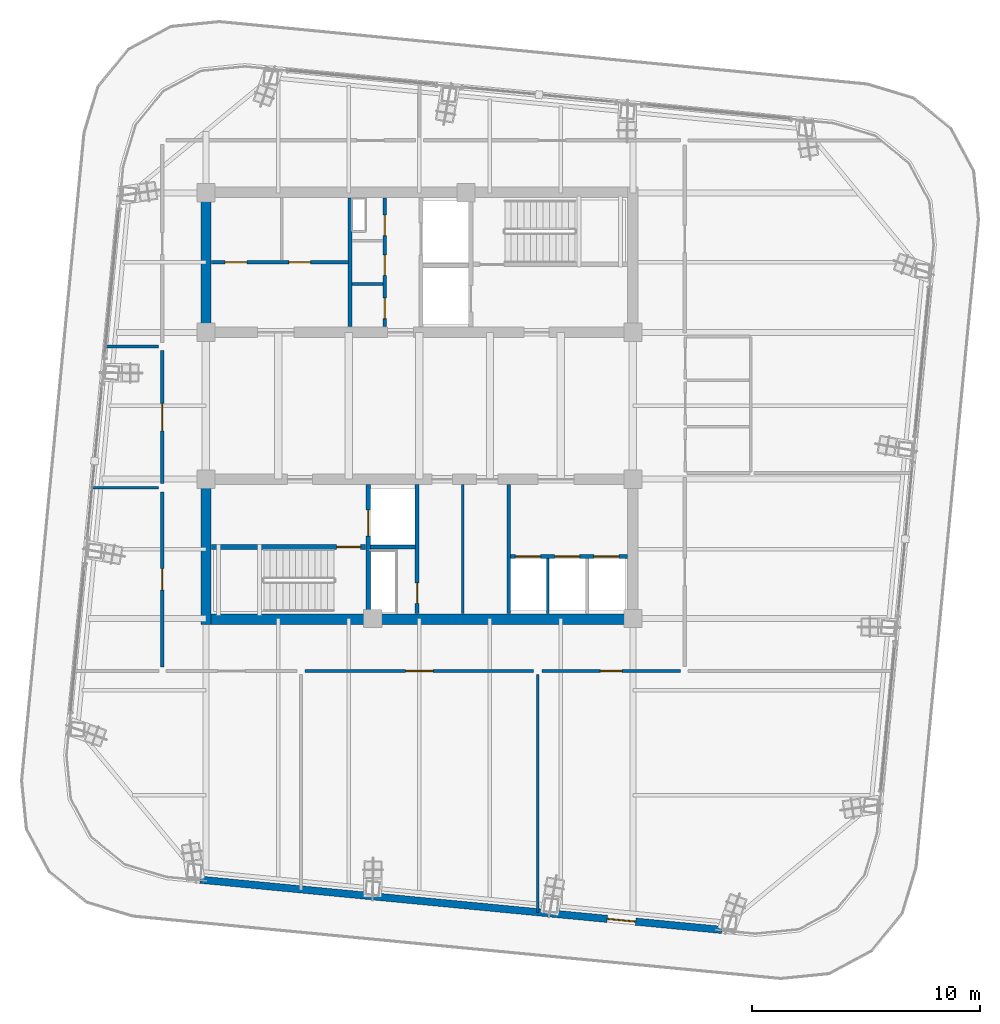
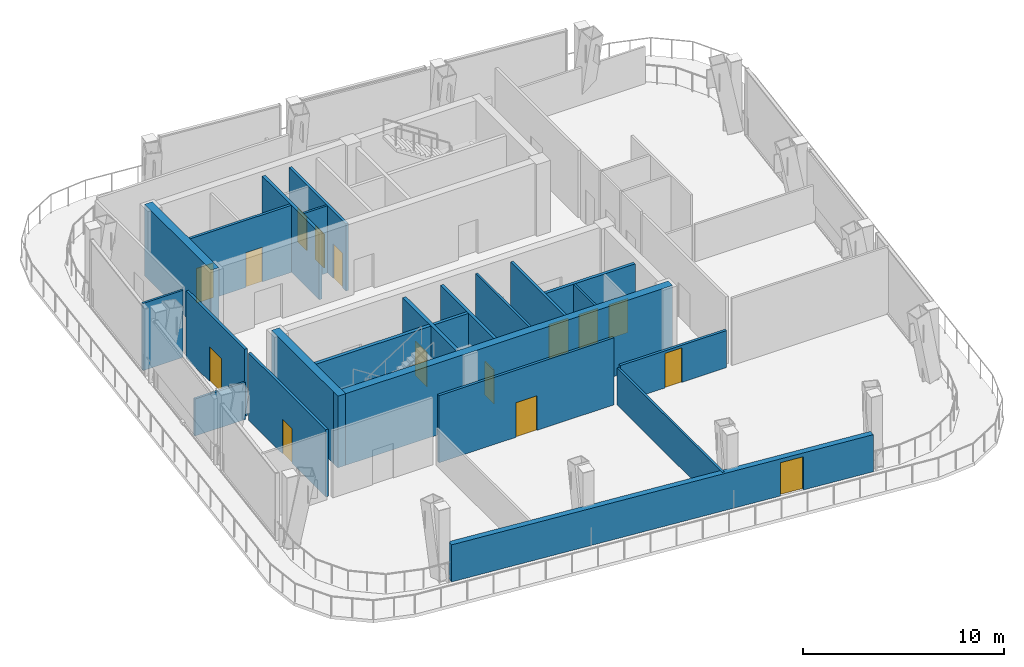
# One storey, part 12 of 19: 23 walls, 16 doors, 16 openings.
"""IFC4 building model written with IfcOpenShell, lengths in metres."""

from ifc_helpers import new_model, si_unit, direction, frame, frame_2d, origin, place, context, subcontext, project, spatial, rectangle, extrude, material, layer, layer_set, type_object, element, fill, save


model = new_model("IFC4")

# Units and contexts
model_context = context("Model", 3, precision=1e-05, world=origin(), true_north=direction((0.0, 1.0)))
body_context = subcontext(model_context, "Body", "Model", "MODEL_VIEW")
ifc_project = project(units=[si_unit("LENGTHUNIT", "METRE"), si_unit("AREAUNIT", "SQUARE_METRE"), si_unit("VOLUMEUNIT", "CUBIC_METRE"), si_unit("PLANEANGLEUNIT", "RADIAN"), si_unit("MASSUNIT", "GRAM", prefix="KILO")], contexts=[model_context])

# Site, building, storey
site_placement = place(None, origin())
site = spatial("IfcSite", under=ifc_project, at=site_placement, CompositionType="ELEMENT")
building_placement = place(site_placement, origin())
building = spatial("IfcBuilding", under=site, at=building_placement, Name="Qhalaya Broadcast Tower", CompositionType="ELEMENT")
storey_placement = place(building_placement, frame((0.0, 0.0, 280.550048828125)))
storey = spatial("IfcBuildingStorey", under=building, at=storey_placement, Name="L83", CompositionType="ELEMENT", Elevation=280.550048828125)

# Wall, openings, doors
ifc_material_1 = material(Name="Gypsum Acoustic Partition")
ifc_layer_1 = layer(ifc_material_1, 0.14990234375, Name="Gypsum Acoustic Partition")
ifc_layer_set_1 = layer_set([ifc_layer_1], Name="Gypsum Acoustic Partition")
wall_type_1 = type_object("IfcWallType", Name="Corridor & Tenancy Acoustic Partition 150", PredefinedType="PARTITIONING", material=ifc_layer_set_1)
wall_1_placement = place(storey_placement, frame((-1.52001953125, 4.070068359375, 0.0), z_axis=(0.0, 0.0, 1.0), x_axis=(0.0, 1.0, 0.0)))
wall_1 = element("IfcWall", 1, at=wall_1_placement, inside=storey, type_object=wall_type_1, Name="L83 Partition Wall NCW-SVL", PredefinedType="PARTITIONING", context=body_context, shape_type="SweptSolid", body=[
    extrude(rectangle(XDim=5.659912109375, YDim=0.14990234375, at=frame_2d((2.830078125, 0.0))), origin(), (0.0, 0.0, 1.0), 4.070068359375),
])
opening_1_placement = place(wall_1_placement, frame((4.0, 0.0, 0.0)))
opening_1 = element("IfcOpeningElement", 2, at=opening_1_placement, cuts=wall_1, Name="Opening D06", PredefinedType="OPENING", context=body_context, shape_type="SweptSolid", body=[
    extrude(rectangle(XDim=0.89990234375, YDim=2.050048828125, at=frame_2d((0.449951171875, 1.02490234375))), frame((0.0, 0.0869140625, 0.0), z_axis=(0.0, -1.0, 0.0), x_axis=(1.0, 0.0, 0.0)), (0.0, 0.0, 1.0), 0.173828125),
])
opening_2_placement = place(wall_1_placement, frame((2.25, 0.0, 0.0)))
opening_2 = element("IfcOpeningElement", 3, at=opening_2_placement, cuts=wall_1, Name="Opening D06", PredefinedType="OPENING", context=body_context, shape_type="SweptSolid", body=[
    extrude(rectangle(XDim=0.89990234375, YDim=2.050048828125, at=frame_2d((0.449951171875, 1.02490234375))), frame((0.0, 0.0869140625, 0.0), z_axis=(0.0, -1.0, 0.0), x_axis=(1.0, 0.0, 0.0)), (0.0, 0.0, 1.0), 0.173828125),
])
opening_3_placement = place(wall_1_placement, frame((0.35009765625, 0.0, 0.0)))
opening_3 = element("IfcOpeningElement", 4, at=opening_3_placement, cuts=wall_1, Name="Opening D12", PredefinedType="OPENING", context=body_context, shape_type="SweptSolid", body=[
    extrude(rectangle(XDim=0.919921875, YDim=2.10009765625, at=frame_2d((0.4599609375, 1.050048828125))), frame((0.0, 0.0869140625, 0.0), z_axis=(0.0, -1.0, 0.0), x_axis=(1.0, 0.0, 0.0)), (0.0, 0.0, 1.0), 0.173828125),
])
ifc_material_2 = material(Name="Timber Veneer Acoustic Door", Category="wood")
door_type_1 = type_object("IfcDoorType", Name="Accessible WC & Restroom Door D12", OperationType="NOTDEFINED", PredefinedType="DOOR", material=ifc_material_2)
door_1_placement = place(opening_3_placement, origin())
door_1 = element("IfcDoor", 5, at=door_1_placement, inside=storey, type_object=door_type_1, Name="L83 Door D-NCWC", OperationType="SINGLE_SWING_RIGHT", OverallHeight=2.10009765625, OverallWidth=0.919921875, PredefinedType="DOOR", context=body_context, shape_type="SweptSolid", body=[
    extrude(rectangle(XDim=0.919921875, YDim=2.10009765625, at=frame_2d((0.4599609375, 1.050048828125))), frame((0.0, 0.02490234375, 0.0), z_axis=(0.0, -1.0, 0.0), x_axis=(1.0, 0.0, 0.0)), (0.0, 0.0, 1.0), 0.050048828125),
])
fill(opening_3, door_1)
ifc_material_3 = material(Name="Fire-Rated Steel Door", Category="steel")
door_type_2 = type_object("IfcDoorType", Name="Riser & Electrical Shaft Access Door D06", OperationType="NOTDEFINED", PredefinedType="DOOR", material=ifc_material_3)
door_2_placement = place(opening_1_placement, origin())
door_2 = element("IfcDoor", 6, at=door_2_placement, inside=storey, type_object=door_type_2, Name="L83 Riser Shaft Access Door D-NRSR", OperationType="SINGLE_SWING_RIGHT", OverallHeight=2.050048828125, OverallWidth=0.89990234375, PredefinedType="DOOR", context=body_context, shape_type="SweptSolid", body=[
    extrude(rectangle(XDim=0.89990234375, YDim=2.050048828125, at=frame_2d((0.449951171875, 1.02490234375))), frame((0.0, 0.02490234375, 0.0), z_axis=(0.0, -1.0, 0.0), x_axis=(1.0, 0.0, 0.0)), (0.0, 0.0, 1.0), 0.050048828125),
])
fill(opening_1, door_2)
door_3_placement = place(opening_2_placement, origin())
door_3 = element("IfcDoor", 7, at=door_3_placement, inside=storey, type_object=door_type_2, Name="L83 Door D-NITR", OperationType="SINGLE_SWING_LEFT", OverallHeight=2.050048828125, OverallWidth=0.89990234375, PredefinedType="DOOR", context=body_context, shape_type="SweptSolid", body=[
    extrude(rectangle(XDim=0.89990234375, YDim=2.050048828125, at=frame_2d((0.449951171875, 1.02490234375))), frame((0.0, 0.02490234375, 0.0), z_axis=(0.0, -1.0, 0.0), x_axis=(1.0, 0.0, 0.0)), (0.0, 0.0, 1.0), 0.050048828125),
])
fill(opening_2, door_3)

wall_2_placement = place(storey_placement, frame((-9.1298828125, 6.89990234375, 0.0), z_axis=(0.0, 0.0, 1.0), x_axis=(1.0, 0.0, 0.0)))
wall_2 = element("IfcWall", 8, at=wall_2_placement, inside=storey, type_object=wall_type_1, Name="L83 Partition Wall NCW-REC1", PredefinedType="PARTITIONING", context=body_context, shape_type="SweptSolid", body=[
    extrude(rectangle(XDim=6.009765625, YDim=0.14990234375, at=frame_2d((3.0048828125, 0.0))), origin(), (0.0, 0.0, 1.0), 4.070068359375),
])
opening_4_placement = place(wall_2_placement, frame((0.60009765625, 0.0, 0.0)))
opening_4 = element("IfcOpeningElement", 9, at=opening_4_placement, cuts=wall_2, Name="Opening D10", PredefinedType="OPENING", context=body_context, shape_type="SweptSolid", body=[
    extrude(rectangle(XDim=0.949951171875, YDim=2.10009765625, at=frame_2d((0.47509765625, 1.050048828125))), frame((0.0, 0.0869140625, 0.0), z_axis=(0.0, -1.0, 0.0), x_axis=(1.0, 0.0, 0.0)), (0.0, 0.0, 1.0), 0.173828125),
])
opening_5_placement = place(wall_2_placement, frame((3.39990234375, 0.0, 0.0)))
opening_5 = element("IfcOpeningElement", 10, at=opening_5_placement, cuts=wall_2, Name="Opening D10", PredefinedType="OPENING", context=body_context, shape_type="SweptSolid", body=[
    extrude(rectangle(XDim=0.949951171875, YDim=2.10009765625, at=frame_2d((0.47509765625, 1.050048828125))), frame((0.0, 0.0869140625, 0.0), z_axis=(0.0, -1.0, 0.0), x_axis=(1.0, 0.0, 0.0)), (0.0, 0.0, 1.0), 0.173828125),
])
door_type_3 = type_object("IfcDoorType", Name="Cellular Office & Edit Booth Door D10", OperationType="NOTDEFINED", PredefinedType="DOOR", material=ifc_material_2)
door_4_placement = place(opening_4_placement, origin())
door_4 = element("IfcDoor", 11, at=door_4_placement, inside=storey, type_object=door_type_3, Name="L83 Door D-NREC1", OperationType="SINGLE_SWING_LEFT", OverallHeight=2.10009765625, OverallWidth=0.949951171875, PredefinedType="DOOR", context=body_context, shape_type="SweptSolid", body=[
    extrude(rectangle(XDim=0.949951171875, YDim=2.10009765625, at=frame_2d((0.47509765625, 1.050048828125))), frame((0.0, 0.02490234375, 0.0), z_axis=(0.0, -1.0, 0.0), x_axis=(1.0, 0.0, 0.0)), (0.0, 0.0, 1.0), 0.050048828125),
])
fill(opening_4, door_4)
door_5_placement = place(opening_5_placement, origin())
door_5 = element("IfcDoor", 12, at=door_5_placement, inside=storey, type_object=door_type_3, Name="L83 Door D-NREC2", OperationType="SINGLE_SWING_RIGHT", OverallHeight=2.10009765625, OverallWidth=0.949951171875, PredefinedType="DOOR", context=body_context, shape_type="SweptSolid", body=[
    extrude(rectangle(XDim=0.949951171875, YDim=2.10009765625, at=frame_2d((0.47509765625, 1.050048828125))), frame((0.0, 0.02490234375, 0.0), z_axis=(0.0, -1.0, 0.0), x_axis=(1.0, 0.0, 0.0)), (0.0, 0.0, 1.0), 0.050048828125),
])
fill(opening_5, door_5)

# Wall
wall_3_placement = place(storey_placement, frame((3.919921875, -8.530029296875, 0.0), z_axis=(0.0, 0.0, 1.0), x_axis=(0.0, 1.0, 0.0)))
element("IfcWall", 13, at=wall_3_placement, inside=storey, type_object=wall_type_1, Name="L83 Partition Wall SCW-HSEP", PredefinedType="PARTITIONING", context=body_context, shape_type="SweptSolid", body=[
    extrude(rectangle(XDim=5.659912109375, YDim=0.14990234375, at=frame_2d((2.830078125, 0.0))), origin(), (0.0, 0.0, 1.0), 4.070068359375),
])

# Wall, opening, door
wall_4_placement = place(storey_placement, frame((-5.02001953125, -11.050048828125, 0.0), z_axis=(0.0, 0.0, 1.0), x_axis=(1.0, 0.0, 0.0)))
wall_4 = element("IfcWall", 14, at=wall_4_placement, inside=storey, type_object=wall_type_1, Name="L83 Partition Wall W-COR-04", PredefinedType="PARTITIONING", context=body_context, shape_type="SweptSolid", body=[
    extrude(rectangle(XDim=10.0400390625, YDim=0.14990234375, at=frame_2d((5.02001953125, 0.0))), origin(), (0.0, 0.0, 1.0), 4.070068359375),
])
opening_6_placement = place(wall_4_placement, frame((4.419921875, 0.0, 0.0)))
opening_6 = element("IfcOpeningElement", 15, at=opening_6_placement, cuts=wall_4, Name="Opening D11", PredefinedType="OPENING", context=body_context, shape_type="SweptSolid", body=[
    extrude(rectangle(XDim=1.199951171875, YDim=2.10009765625, at=frame_2d((0.60009765625, 1.050048828125))), frame((0.0, 0.0869140625, 0.0), z_axis=(0.0, -1.0, 0.0), x_axis=(1.0, 0.0, 0.0)), (0.0, 0.0, 1.0), 0.173828125),
])
ifc_material_4 = material(Name="Anodised Aluminium Glazed Door", Category="aluminium")
door_type_4 = type_object("IfcDoorType", Name="Conference, Boardroom & Studio Control Door D11", OperationType="NOTDEFINED", PredefinedType="DOOR", material=ifc_material_4)
door_6_placement = place(opening_6_placement, origin())
door_6 = element("IfcDoor", 16, at=door_6_placement, inside=storey, type_object=door_type_4, Name="L83 Door D-RM04", OperationType="SINGLE_SWING_RIGHT", OverallHeight=2.10009765625, OverallWidth=1.199951171875, PredefinedType="DOOR", context=body_context, shape_type="SweptSolid", body=[
    extrude(rectangle(XDim=1.199951171875, YDim=2.10009765625, at=frame_2d((0.60009765625, 1.050048828125))), frame((0.0, 0.02490234375, 0.0), z_axis=(0.0, -1.0, 0.0), x_axis=(1.0, 0.0, 0.0)), (0.0, 0.0, 1.0), 0.050048828125),
])
fill(opening_6, door_6)

wall_5_placement = place(storey_placement, frame((5.3798828125, -11.050048828125, 0.0), z_axis=(0.0, 0.0, 1.0), x_axis=(1.0, 0.0, 0.0)))
wall_5 = element("IfcWall", 17, at=wall_5_placement, inside=storey, type_object=wall_type_1, Name="L83 Partition Wall W-COR-05", PredefinedType="PARTITIONING", context=body_context, shape_type="SweptSolid", body=[
    extrude(rectangle(XDim=6.090087890625, YDim=0.14990234375, at=frame_2d((3.044921875, 0.0))), origin(), (0.0, 0.0, 1.0), 2.25),
])
opening_7_placement = place(wall_5_placement, frame((2.570068359375, 0.0, 0.0)))
opening_7 = element("IfcOpeningElement", 18, at=opening_7_placement, cuts=wall_5, Name="Opening D10", PredefinedType="OPENING", context=body_context, shape_type="SweptSolid", body=[
    extrude(rectangle(XDim=0.949951171875, YDim=2.10009765625, at=frame_2d((0.47509765625, 1.050048828125))), frame((0.0, 0.0869140625, 0.0), z_axis=(0.0, -1.0, 0.0), x_axis=(1.0, 0.0, 0.0)), (0.0, 0.0, 1.0), 0.173828125),
])
door_7_placement = place(opening_7_placement, origin())
door_7 = element("IfcDoor", 19, at=door_7_placement, inside=storey, type_object=door_type_3, Name="L83 Door D-RM05", OperationType="SINGLE_SWING_LEFT", OverallHeight=2.10009765625, OverallWidth=0.949951171875, PredefinedType="DOOR", context=body_context, shape_type="SweptSolid", body=[
    extrude(rectangle(XDim=0.949951171875, YDim=2.10009765625, at=frame_2d((0.47509765625, 1.050048828125))), frame((0.0, 0.02490234375, 0.0), z_axis=(0.0, -1.0, 0.0), x_axis=(1.0, 0.0, 0.0)), (0.0, 0.0, 1.0), 0.050048828125),
])
fill(opening_7, door_7)

wall_6_placement = place(storey_placement, frame((-11.300048828125, -10.8701171875, 0.0), z_axis=(0.0, 0.0, 1.0), x_axis=(0.0, 1.0, 0.0)))
wall_6 = element("IfcWall", 20, at=wall_6_placement, inside=storey, type_object=wall_type_1, Name="L83 Partition Wall W-COR-06", PredefinedType="PARTITIONING", context=body_context, shape_type="SweptSolid", body=[
    extrude(rectangle(XDim=7.690185546875, YDim=0.14990234375, at=frame_2d((3.84521484375, 0.0))), origin(), (0.0, 0.0, 1.0), 4.070068359375),
])
opening_8_placement = place(wall_6_placement, frame((3.3701171875, 0.0, 0.0)))
opening_8 = element("IfcOpeningElement", 21, at=opening_8_placement, cuts=wall_6, Name="Opening D10", PredefinedType="OPENING", context=body_context, shape_type="SweptSolid", body=[
    extrude(rectangle(XDim=0.949951171875, YDim=2.10009765625, at=frame_2d((0.47509765625, 1.050048828125))), frame((0.0, 0.0869140625, 0.0), z_axis=(0.0, -1.0, 0.0), x_axis=(1.0, 0.0, 0.0)), (0.0, 0.0, 1.0), 0.173828125),
])
door_8_placement = place(opening_8_placement, origin())
door_8 = element("IfcDoor", 22, at=door_8_placement, inside=storey, type_object=door_type_3, Name="L83 Door D-RM06", OperationType="SINGLE_SWING_RIGHT", OverallHeight=2.10009765625, OverallWidth=0.949951171875, PredefinedType="DOOR", context=body_context, shape_type="SweptSolid", body=[
    extrude(rectangle(XDim=0.949951171875, YDim=2.10009765625, at=frame_2d((0.47509765625, 1.050048828125))), frame((0.0, 0.02490234375, 0.0), z_axis=(0.0, -1.0, 0.0), x_axis=(1.0, 0.0, 0.0)), (0.0, 0.0, 1.0), 0.050048828125),
])
fill(opening_8, door_8)

wall_7_placement = place(storey_placement, frame((-11.300048828125, -2.820068359375, 0.0), z_axis=(0.0, 0.0, 1.0), x_axis=(0.0, 1.0, 0.0)))
wall_7 = element("IfcWall", 23, at=wall_7_placement, inside=storey, type_object=wall_type_1, Name="L83 Partition Wall W-COR-07", PredefinedType="PARTITIONING", context=body_context, shape_type="SweptSolid", body=[
    extrude(rectangle(XDim=5.840087890625, YDim=0.14990234375, at=frame_2d((2.919921875, 0.0))), origin(), (0.0, 0.0, 1.0), 4.070068359375),
])
opening_9_placement = place(wall_7_placement, frame((2.320068359375, 0.0, 0.0)))
opening_9 = element("IfcOpeningElement", 24, at=opening_9_placement, cuts=wall_7, Name="Opening D11", PredefinedType="OPENING", context=body_context, shape_type="SweptSolid", body=[
    extrude(rectangle(XDim=1.199951171875, YDim=2.10009765625, at=frame_2d((0.60009765625, 1.050048828125))), frame((0.0, 0.0869140625, 0.0), z_axis=(0.0, -1.0, 0.0), x_axis=(1.0, 0.0, 0.0)), (0.0, 0.0, 1.0), 0.173828125),
])
door_9_placement = place(opening_9_placement, origin())
door_9 = element("IfcDoor", 25, at=door_9_placement, inside=storey, type_object=door_type_4, Name="L83 Door D-RM07", OperationType="SINGLE_SWING_LEFT", OverallHeight=2.10009765625, OverallWidth=1.199951171875, PredefinedType="DOOR", context=body_context, shape_type="SweptSolid", body=[
    extrude(rectangle(XDim=1.199951171875, YDim=2.10009765625, at=frame_2d((0.60009765625, 1.050048828125))), frame((0.0, 0.02490234375, 0.0), z_axis=(0.0, -1.0, 0.0), x_axis=(1.0, 0.0, 0.0)), (0.0, 0.0, 1.0), 0.050048828125),
])
fill(opening_9, door_9)

ifc_material_5 = material(Name="Concrete C50/60", Category="concrete")
ifc_layer_2 = layer(ifc_material_5, 0.199951171875, Name="Concrete C50/60")
ifc_layer_set_2 = layer_set([ifc_layer_2], Name="Concrete C50/60")
wall_type_2 = type_object("IfcWallType", Name="Load-Bearing Stair Shaft Wall 200", PredefinedType="SHEAR", material=ifc_layer_set_2)
wall_8_placement = place(storey_placement, frame((-9.1298828125, -5.60498046875, 0.0), z_axis=(0.0, 0.0, 1.0), x_axis=(1.0, 0.0, 0.0)))
wall_8 = element("IfcWall", 26, at=wall_8_placement, inside=storey, type_object=wall_type_2, Name="L83 Stair Core Shear Wall SCW-ST2", PredefinedType="SHEAR", context=body_context, shape_type="SweptSolid", body=[
    extrude(rectangle(XDim=6.769775390625, YDim=0.199951171875, at=frame_2d((3.384765625, 0.0))), origin(), (0.0, 0.0, 1.0), 4.070068359375),
])
opening_10_placement = place(wall_8_placement, frame((5.5, 0.0, 0.0)))
opening_10 = element("IfcOpeningElement", 27, at=opening_10_placement, cuts=wall_8, Name="Opening D03", PredefinedType="OPENING", context=body_context, shape_type="SweptSolid", body=[
    extrude(rectangle(XDim=1.050048828125, YDim=2.080078125, at=frame_2d((0.52490234375, 1.0400390625))), frame((0.0, 0.112060546875, 0.0), z_axis=(0.0, -1.0, 0.0), x_axis=(1.0, 0.0, 0.0)), (0.0, 0.0, 1.0), 0.223876953125),
])
door_type_5 = type_object("IfcDoorType", Name="Core Stair Protected Fire Door D03", OperationType="NOTDEFINED", PredefinedType="DOOR", material=ifc_material_3)
door_10_placement = place(opening_10_placement, origin())
door_10 = element("IfcDoor", 28, at=door_10_placement, inside=storey, type_object=door_type_5, Name="L83 Door D-SST2", OperationType="SINGLE_SWING_RIGHT", OverallHeight=2.080078125, OverallWidth=1.050048828125, PredefinedType="DOOR", context=body_context, shape_type="SweptSolid", body=[
    extrude(rectangle(XDim=1.050048828125, YDim=2.080078125, at=frame_2d((0.52490234375, 1.0400390625))), frame((0.0, 0.02490234375, 0.0), z_axis=(0.0, -1.0, 0.0), x_axis=(1.0, 0.0, 0.0)), (0.0, 0.0, 1.0), 0.050048828125),
])
fill(opening_10, door_10)

wall_9_placement = place(storey_placement, frame((-2.25, -8.530029296875, 0.0), z_axis=(0.0, 0.0, 1.0), x_axis=(0.0, 1.0, 0.0)))
wall_9 = element("IfcWall", 29, at=wall_9_placement, inside=storey, type_object=wall_type_2, Name="L83 Stair Core Shear Wall SCW-FF", PredefinedType="SHEAR", context=body_context, shape_type="SweptSolid", body=[
    extrude(rectangle(XDim=5.659912109375, YDim=0.199951171875, at=frame_2d((2.830078125, 0.0))), origin(), (0.0, 0.0, 1.0), 4.070068359375),
])
opening_11_placement = place(wall_9_placement, frame((3.39990234375, 0.0, 0.0)))
opening_11 = element("IfcOpeningElement", 30, at=opening_11_placement, cuts=wall_9, Name="Opening LD2", PredefinedType="OPENING", context=body_context, shape_type="SweptSolid", body=[
    extrude(rectangle(XDim=1.14990234375, YDim=2.080078125, at=frame_2d((0.574951171875, 1.0400390625))), frame((0.0, 0.112060546875, 0.0), z_axis=(0.0, -1.0, 0.0), x_axis=(1.0, 0.0, 0.0)), (0.0, 0.0, 1.0), 0.223876953125),
])
ifc_material_6 = material(Name="Brushed Stainless Steel Lift Door", Category="steel")
door_type_6 = type_object("IfcDoorType", Name="Firefighting Lift Sliding Landing Door LD2", OperationType="DOUBLE_DOOR_SLIDING", PredefinedType="DOOR", material=ifc_material_6)
door_11_placement = place(opening_11_placement, origin())
door_11 = element("IfcDoor", 31, at=door_11_placement, inside=storey, type_object=door_type_6, Name="L83 Door LD-FF2", OperationType="DOUBLE_DOOR_SLIDING", OverallHeight=2.080078125, OverallWidth=1.14990234375, PredefinedType="DOOR", context=body_context, shape_type="SweptSolid", body=[
    extrude(rectangle(XDim=1.14990234375, YDim=2.080078125, at=frame_2d((0.574951171875, 1.0400390625))), frame((0.0, 0.02490234375, 0.0), z_axis=(0.0, -1.0, 0.0), x_axis=(1.0, 0.0, 0.0)), (0.0, 0.0, 1.0), 0.050048828125),
])
fill(opening_11, door_11)

# Walls
ifc_layer_3 = layer(ifc_material_1, 0.1201171875, Name="Gypsum Acoustic Partition")
ifc_layer_set_3 = layer_set([ifc_layer_3], Name="Gypsum Acoustic Partition")
wall_type_3 = type_object("IfcWallType", Name="Office, Booth & Sanitary Partition 120", PredefinedType="PARTITIONING", material=ifc_layer_set_3)
wall_10_placement = place(storey_placement, frame((-2.9599609375, 5.949951171875, 0.0), z_axis=(0.0, 0.0, 1.0), x_axis=(1.0, 0.0, 0.0)))
element("IfcWall", 32, at=wall_10_placement, inside=storey, type_object=wall_type_3, Name="L83 Partition Wall NCW-VB1", PredefinedType="PARTITIONING", context=body_context, shape_type="SweptSolid", body=[
    extrude(rectangle(XDim=1.35986328125, YDim=0.1201171875, at=frame_2d((0.679931640625, 0.0))), origin(), (0.0, 0.0, 1.0), 4.070068359375),
])
wall_11_placement = place(storey_placement, frame((1.89990234375, -8.530029296875, 0.0), z_axis=(0.0, 0.0, 1.0), x_axis=(0.0, 1.0, 0.0)))
element("IfcWall", 33, at=wall_11_placement, inside=storey, type_object=wall_type_3, Name="L83 Partition Wall SCW-RKB", PredefinedType="PARTITIONING", context=body_context, shape_type="SweptSolid", body=[
    extrude(rectangle(XDim=5.659912109375, YDim=0.1201171875, at=frame_2d((2.830078125, 0.0))), origin(), (0.0, 0.0, 1.0), 4.070068359375),
])
wall_12_placement = place(storey_placement, frame((5.639892578125, -8.530029296875, 0.0), z_axis=(0.0, 0.0, 1.0), x_axis=(0.0, 1.0, 0.0)))
element("IfcWall", 34, at=wall_12_placement, inside=storey, type_object=wall_type_3, Name="L83 Partition Wall SCW-HD6", PredefinedType="PARTITIONING", context=body_context, shape_type="SweptSolid", body=[
    extrude(rectangle(XDim=2.429931640625, YDim=0.1201171875, at=frame_2d((1.21484375, 0.0))), origin(), (0.0, 0.0, 1.0), 4.070068359375),
])
wall_13_placement = place(storey_placement, frame((5.199951171875, -21.66259765625, 0.0), z_axis=(0.0, 0.0, 1.0), x_axis=(0.0, 1.0, 0.0)))
element("IfcWall", 35, at=wall_13_placement, inside=storey, type_object=wall_type_3, Name="L83 Partition Wall W-DIVS2", PredefinedType="PARTITIONING", context=body_context, shape_type="SweptSolid", body=[
    extrude(rectangle(XDim=10.45263671875, YDim=0.1201171875, at=frame_2d((5.226318359375, 0.0))), origin(), (0.0, 0.0, 1.0), 2.25),
])
wall_14_placement = place(storey_placement, frame((-14.37060546875, -3.0, 0.0), z_axis=(0.0, 0.0, 1.0), x_axis=(1.0, 0.0, 0.0)))
element("IfcWall", 36, at=wall_14_placement, inside=storey, type_object=wall_type_3, Name="L83 Partition Wall W-DIVW1", PredefinedType="PARTITIONING", context=body_context, shape_type="SweptSolid", body=[
    extrude(rectangle(XDim=2.91064453125, YDim=0.1201171875, at=frame_2d((1.455322265625, 0.0))), origin(), (0.0, 0.0, 1.0), 2.25),
])
wall_15_placement = place(storey_placement, frame((-13.773681640625, 3.199951171875, 0.0), z_axis=(0.0, 0.0, 1.0), x_axis=(1.0, 0.0, 0.0)))
element("IfcWall", 37, at=wall_15_placement, inside=storey, type_object=wall_type_3, Name="L83 Partition Wall W-DIVW2", PredefinedType="PARTITIONING", context=body_context, shape_type="SweptSolid", body=[
    extrude(rectangle(XDim=2.313720703125, YDim=0.1201171875, at=frame_2d((1.15673828125, 0.0))), origin(), (0.0, 0.0, 1.0), 4.070068359375),
])

# Wall, opening, door
ifc_material_7 = material(Name="Precast Concrete C40/50", Category="concrete")
ifc_layer_4 = layer(ifc_material_7, 0.320068359375, Name="Precast Concrete C40/50")
ifc_layer_set_4 = layer_set([ifc_layer_4], Name="Precast Concrete C40/50")
wall_type_4 = type_object("IfcWallType", Name="Recessed Neck Insulated Exterior Wall 320", PredefinedType="SOLIDWALL", material=ifc_layer_set_4)
wall_16_placement = place(storey_placement, frame((13.287109375, -22.421142578125, 0.0), z_axis=(0.0, 0.0, 1.0), x_axis=(-0.995396042099, 0.095847375411, 0.0)))
wall_16 = element("IfcWall", 38, at=wall_16_placement, inside=storey, type_object=wall_type_4, Name="L83 Exterior Facade Wall S", PredefinedType="SOLIDWALL", context=body_context, shape_type="SweptSolid", body=[
    extrude(rectangle(XDim=23.02392578125, YDim=0.320068359375, at=frame_2d((11.511962890625, 0.0))), origin(), (0.0, 0.0, 1.0), 2.25),
])
opening_12_placement = place(wall_16_placement, frame((3.81103515625, 0.0, 0.0)))
opening_12 = element("IfcOpeningElement", 39, at=opening_12_placement, cuts=wall_16, Name="Opening D13", PredefinedType="OPENING", context=body_context, shape_type="SweptSolid", body=[
    extrude(rectangle(XDim=1.25, YDim=2.02001953125, at=frame_2d((0.625, 1.010009765625))), frame((0.0, 0.172119140625, 0.0), z_axis=(0.0, -1.0, 0.0), x_axis=(1.0, 0.0, 0.0)), (0.0, 0.0, 1.0), 0.343994140625),
])
door_type_7 = type_object("IfcDoorType", Name="Sky-Garden, Sky-Pool & Lookout Terrace Door D13", OperationType="NOTDEFINED", PredefinedType="DOOR", material=ifc_material_4)
door_12_placement = place(opening_12_placement, origin())
door_12 = element("IfcDoor", 40, at=door_12_placement, inside=storey, type_object=door_type_7, Name="L83 Outdoor Terrace Access Door S", OperationType="SINGLE_SWING_RIGHT", OverallHeight=2.02001953125, OverallWidth=1.25, PredefinedType="DOOR", context=body_context, shape_type="SweptSolid", body=[
    extrude(rectangle(XDim=1.25, YDim=2.02001953125, at=frame_2d((0.625, 1.010009765625))), frame((0.0, 0.02490234375, 0.0), z_axis=(0.0, -1.0, 0.0), x_axis=(1.0, 0.0, 0.0)), (0.0, 0.0, 1.0), 0.050048828125),
])
fill(opening_12, door_12)

# Wall
ifc_layer_5 = layer(ifc_material_1, 0.175048828125, Name="Gypsum Acoustic Partition")
ifc_layer_set_5 = layer_set([ifc_layer_5], Name="Gypsum Acoustic Partition")
wall_type_5 = type_object("IfcWallType", Name="Shaft & Riser Fire Partition 175", PredefinedType="PARTITIONING", material=ifc_layer_set_5)
wall_17_placement = place(storey_placement, frame((-3.0400390625, 4.070068359375, 0.0), z_axis=(0.0, 0.0, 1.0), x_axis=(0.0, 1.0, 0.0)))
element("IfcWall", 41, at=wall_17_placement, inside=storey, type_object=wall_type_5, Name="L83 Partition Wall NCW-VRW", PredefinedType="PARTITIONING", context=body_context, shape_type="SweptSolid", body=[
    extrude(rectangle(XDim=5.659912109375, YDim=0.175048828125, at=frame_2d((2.830078125, 0.0))), origin(), (0.0, 0.0, 1.0), 4.070068359375),
])

# Wall, opening, door
wall_18_placement = place(storey_placement, frame((-0.10009765625, -8.530029296875, 0.0), z_axis=(0.0, 0.0, 1.0), x_axis=(0.0, 1.0, 0.0)))
wall_18 = element("IfcWall", 42, at=wall_18_placement, inside=storey, type_object=wall_type_5, Name="L83 Partition Wall SCW-FFE", PredefinedType="PARTITIONING", context=body_context, shape_type="SweptSolid", body=[
    extrude(rectangle(XDim=5.659912109375, YDim=0.175048828125, at=frame_2d((2.830078125, 0.0))), origin(), (0.0, 0.0, 1.0), 4.070068359375),
])
opening_13_placement = place(wall_18_placement, frame((0.449951171875, 0.0, 0.0)))
opening_13 = element("IfcOpeningElement", 43, at=opening_13_placement, cuts=wall_18, Name="Opening D06", PredefinedType="OPENING", context=body_context, shape_type="SweptSolid", body=[
    extrude(rectangle(XDim=0.89990234375, YDim=2.050048828125, at=frame_2d((0.449951171875, 1.02490234375))), frame((0.0, 0.099609375, 0.0), z_axis=(0.0, -1.0, 0.0), x_axis=(1.0, 0.0, 0.0)), (0.0, 0.0, 1.0), 0.198974609375),
])
door_13_placement = place(opening_13_placement, origin())
door_13 = element("IfcDoor", 44, at=door_13_placement, inside=storey, type_object=door_type_2, Name="L83 Riser Shaft Access Door D-SRSR", OperationType="SINGLE_SWING_LEFT", OverallHeight=2.050048828125, OverallWidth=0.89990234375, PredefinedType="DOOR", context=body_context, shape_type="SweptSolid", body=[
    extrude(rectangle(XDim=0.89990234375, YDim=2.050048828125, at=frame_2d((0.449951171875, 1.02490234375))), frame((0.0, 0.02490234375, 0.0), z_axis=(0.0, -1.0, 0.0), x_axis=(1.0, 0.0, 0.0)), (0.0, 0.0, 1.0), 0.050048828125),
])
fill(opening_13, door_13)

# Wall
wall_19_placement = place(storey_placement, frame((-2.14990234375, -5.60009765625, 0.0), z_axis=(0.0, 0.0, 1.0), x_axis=(1.0, 0.0, 0.0)))
element("IfcWall", 45, at=wall_19_placement, inside=storey, type_object=wall_type_5, Name="L83 Partition Wall SCW-FFM", PredefinedType="PARTITIONING", context=body_context, shape_type="SweptSolid", body=[
    extrude(rectangle(XDim=1.969970703125, YDim=0.175048828125, at=frame_2d((0.98486328125, 0.0))), origin(), (0.0, 0.0, 1.0), 4.070068359375),
])

# Wall, openings, doors
wall_20_placement = place(storey_placement, frame((4.0, -6.02001953125, 0.0), z_axis=(0.0, 0.0, 1.0), x_axis=(1.0, 0.0, 0.0)))
wall_20 = element("IfcWall", 46, at=wall_20_placement, inside=storey, type_object=wall_type_5, Name="L83 Partition Wall SCW-SLB", PredefinedType="PARTITIONING", context=body_context, shape_type="SweptSolid", body=[
    extrude(rectangle(XDim=5.1298828125, YDim=0.175048828125, at=frame_2d((2.56494140625, 0.0))), origin(), (0.0, 0.0, 1.0), 4.070068359375),
])
opening_14_placement = place(wall_20_placement, frame((0.219970703125, 0.0, 0.0)))
opening_14 = element("IfcOpeningElement", 47, at=opening_14_placement, cuts=wall_20, Name="Opening LD1", PredefinedType="OPENING", context=body_context, shape_type="SweptSolid", body=[
    extrude(rectangle(XDim=1.10009765625, YDim=2.06005859375, at=frame_2d((0.550048828125, 1.030029296875))), frame((0.0, 0.099609375, 0.0), z_axis=(0.0, -1.0, 0.0), x_axis=(1.0, 0.0, 0.0)), (0.0, 0.0, 1.0), 0.198974609375),
])
opening_15_placement = place(wall_20_placement, frame((1.93994140625, 0.0, 0.0)))
opening_15 = element("IfcOpeningElement", 48, at=opening_15_placement, cuts=wall_20, Name="Opening LD1", PredefinedType="OPENING", context=body_context, shape_type="SweptSolid", body=[
    extrude(rectangle(XDim=1.10009765625, YDim=2.06005859375, at=frame_2d((0.550048828125, 1.030029296875))), frame((0.0, 0.099609375, 0.0), z_axis=(0.0, -1.0, 0.0), x_axis=(1.0, 0.0, 0.0)), (0.0, 0.0, 1.0), 0.198974609375),
])
opening_16_placement = place(wall_20_placement, frame((3.659912109375, 0.0, 0.0)))
opening_16 = element("IfcOpeningElement", 49, at=opening_16_placement, cuts=wall_20, Name="Opening LD1", PredefinedType="OPENING", context=body_context, shape_type="SweptSolid", body=[
    extrude(rectangle(XDim=1.10009765625, YDim=2.06005859375, at=frame_2d((0.550048828125, 1.030029296875))), frame((0.0, 0.099609375, 0.0), z_axis=(0.0, -1.0, 0.0), x_axis=(1.0, 0.0, 0.0)), (0.0, 0.0, 1.0), 0.198974609375),
])
door_type_8 = type_object("IfcDoorType", Name="Passenger Lift Sliding Landing Door LD1", OperationType="DOUBLE_DOOR_SLIDING", PredefinedType="DOOR", material=ifc_material_6)
door_14_placement = place(opening_14_placement, origin())
door_14 = element("IfcDoor", 50, at=door_14_placement, inside=storey, type_object=door_type_8, Name="L83 Door LD-P6", OperationType="DOUBLE_DOOR_SLIDING", OverallHeight=2.06005859375, OverallWidth=1.10009765625, PredefinedType="DOOR", context=body_context, shape_type="SweptSolid", body=[
    extrude(rectangle(XDim=1.10009765625, YDim=2.06005859375, at=frame_2d((0.550048828125, 1.030029296875))), frame((0.0, 0.02490234375, 0.0), z_axis=(0.0, -1.0, 0.0), x_axis=(1.0, 0.0, 0.0)), (0.0, 0.0, 1.0), 0.050048828125),
])
fill(opening_14, door_14)
door_15_placement = place(opening_15_placement, origin())
door_15 = element("IfcDoor", 51, at=door_15_placement, inside=storey, type_object=door_type_8, Name="L83 Door LD-P7", OperationType="DOUBLE_DOOR_SLIDING", OverallHeight=2.06005859375, OverallWidth=1.10009765625, PredefinedType="DOOR", context=body_context, shape_type="SweptSolid", body=[
    extrude(rectangle(XDim=1.10009765625, YDim=2.06005859375, at=frame_2d((0.550048828125, 1.030029296875))), frame((0.0, 0.02490234375, 0.0), z_axis=(0.0, -1.0, 0.0), x_axis=(1.0, 0.0, 0.0)), (0.0, 0.0, 1.0), 0.050048828125),
])
fill(opening_15, door_15)
door_16_placement = place(opening_16_placement, origin())
door_16 = element("IfcDoor", 52, at=door_16_placement, inside=storey, type_object=door_type_8, Name="L83 Door LD-P8", OperationType="DOUBLE_DOOR_SLIDING", OverallHeight=2.06005859375, OverallWidth=1.10009765625, PredefinedType="DOOR", context=body_context, shape_type="SweptSolid", body=[
    extrude(rectangle(XDim=1.10009765625, YDim=2.06005859375, at=frame_2d((0.550048828125, 1.030029296875))), frame((0.0, 0.02490234375, 0.0), z_axis=(0.0, -1.0, 0.0), x_axis=(1.0, 0.0, 0.0)), (0.0, 0.0, 1.0), 0.050048828125),
])
fill(opening_16, door_16)

# Walls
ifc_layer_6 = layer(ifc_material_5, 0.449951171875, Name="Concrete C50/60")
ifc_layer_set_6 = layer_set([ifc_layer_6], Name="Concrete C50/60")
wall_type_6 = type_object("IfcWallType", Name="Upper Split-Core Shear Wall 450", PredefinedType="SHEAR", material=ifc_layer_set_6)
wall_21_placement = place(storey_placement, frame((-9.375, 3.60009765625, 0.0), z_axis=(0.0, 0.0, 1.0), x_axis=(0.0, 1.0, 0.0)))
element("IfcWall", 53, at=wall_21_placement, inside=storey, type_object=wall_type_6, Name="L83 Split-Core Shear Wall CW-NW", PredefinedType="SHEAR", context=body_context, shape_type="SweptSolid", body=[
    extrude(rectangle(XDim=6.599853515625, YDim=0.449951171875, at=frame_2d((3.2998046875, 0.0))), origin(), (0.0, 0.0, 1.0), 4.349853515625),
])
wall_22_placement = place(storey_placement, frame((-9.60009765625, -8.77490234375, 0.0), z_axis=(0.0, 0.0, 1.0), x_axis=(1.0, 0.0, 0.0)))
element("IfcWall", 54, at=wall_22_placement, inside=storey, type_object=wall_type_6, Name="L83 Split-Core Shear Wall CW-SS", PredefinedType="SHEAR", context=body_context, shape_type="SweptSolid", body=[
    extrude(rectangle(XDim=19.2001953125, YDim=0.449951171875, at=frame_2d((9.60009765625, 0.0))), origin(), (0.0, 0.0, 1.0), 4.349853515625),
])
wall_23_placement = place(storey_placement, frame((-9.375, -9.0, 0.0), z_axis=(0.0, 0.0, 1.0), x_axis=(0.0, 1.0, 0.0)))
element("IfcWall", 55, at=wall_23_placement, inside=storey, type_object=wall_type_6, Name="L83 Split-Core Shear Wall CW-SW", PredefinedType="SHEAR", context=body_context, shape_type="SweptSolid", body=[
    extrude(rectangle(XDim=6.60009765625, YDim=0.449951171875, at=frame_2d((3.300048828125, 0.0))), origin(), (0.0, 0.0, 1.0), 4.349853515625),
])

save(model, "model.ifc")
